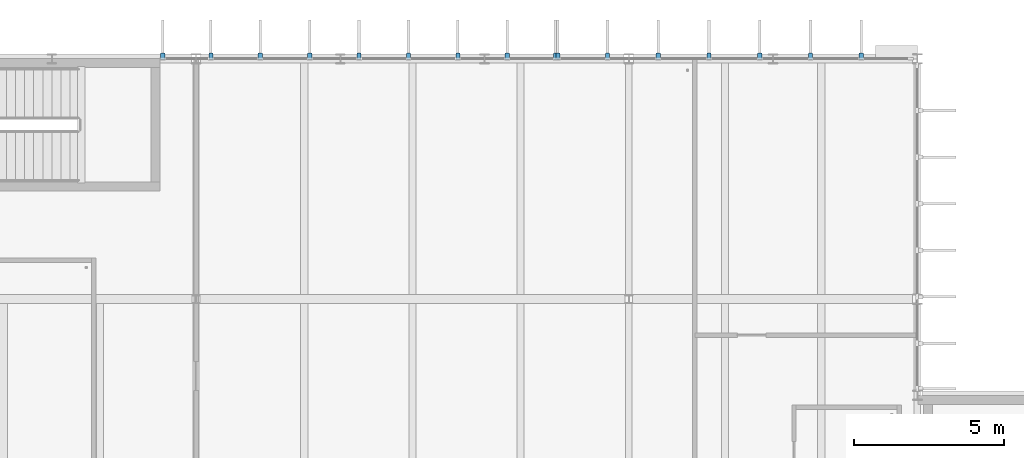
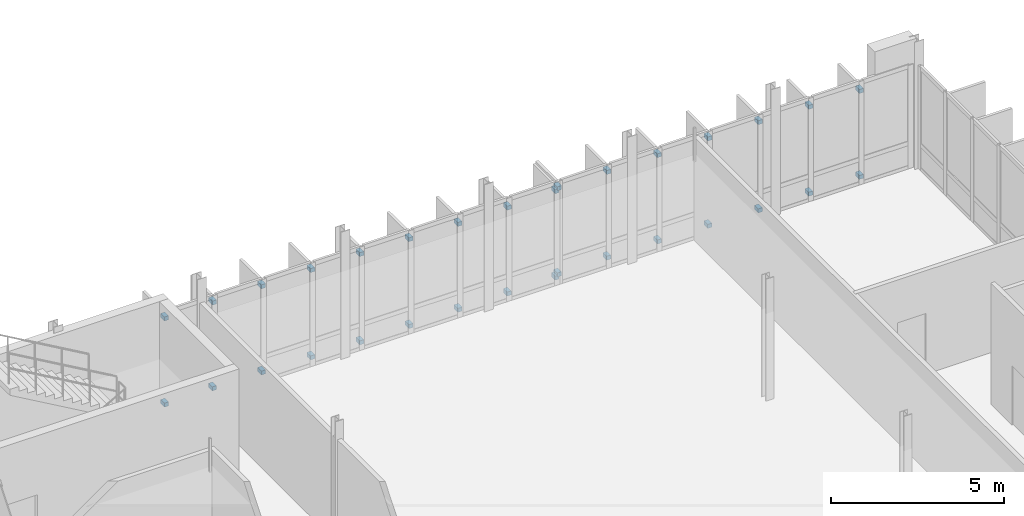
# One storey, part 36 of 41: 32 discrete accessories.
"""IFC4 building model written with IfcOpenShell, lengths in metres."""

from ifc_helpers import new_model, si_unit, direction, frame, origin, origin_2d, place, context, subcontext, project, spatial, rectangle, extrude, material, type_object, element, save


model = new_model("IFC4")

# Units and contexts
model_context = context("Model", 3, precision=1e-05, world=origin(), true_north=direction((0.0, 1.0)))
body_context = subcontext(model_context, "Body", "Model", "MODEL_VIEW")
ifc_project = project(units=[si_unit("LENGTHUNIT", "METRE"), si_unit("AREAUNIT", "SQUARE_METRE"), si_unit("VOLUMEUNIT", "CUBIC_METRE"), si_unit("PLANEANGLEUNIT", "RADIAN"), si_unit("MASSUNIT", "GRAM", prefix="KILO")], contexts=[model_context])

# Site, building, storey
site_placement = place(None, origin())
site = spatial("IfcSite", under=ifc_project, at=site_placement, CompositionType="ELEMENT")
building_placement = place(site_placement, origin())
building = spatial("IfcBuilding", under=site, at=building_placement, Name="Dunescarp Central Library", CompositionType="ELEMENT")
storey_placement = place(building_placement, frame((0.0, 0.0, 23.10009765625)))
storey = spatial("IfcBuildingStorey", under=building, at=storey_placement, Name="L05", CompositionType="ELEMENT", Elevation=23.10009765625)

# Discrete accessories
ifc_material = material(Name="Stainless steel Grade 316L", Category="steel")
discrete_accessory_type = type_object("IfcDiscreteAccessoryType", Name="ARC-ACC-BRK", PredefinedType="BRACKET", material=ifc_material)
for number, where, z_axis, x_axis, name in (
    (1, (21.639892578125, 36.8798828125, 0.27685546875), (0.0, 0.0, 1.0), (0.0, 1.0, 0.0), "Fin bracket BRK-FIN-L05-0231-B"),
    (2, (21.639892578125, 36.8798828125, 3.32275390625), (0.0, 0.0, 1.0), (0.0, 1.0, 0.0), "Fin bracket BRK-FIN-L05-0231-T"),
    (3, (23.2890625, 36.8798828125, 0.2900390625), (0.0, 0.0, 1.0), (0.0, 1.0, 0.0), "Fin bracket BRK-FIN-L05-0232-B"),
    (4, (23.2890625, 36.8798828125, 3.32275390625), (0.0, 0.0, 1.0), (0.0, 1.0, 0.0), "Fin bracket BRK-FIN-L05-0232-T"),
    (5, (24.97900390625, 36.8798828125, 0.27392578125), (0.0, 0.0, 1.0), (0.0, 1.0, 0.0), "Fin bracket BRK-FIN-L05-0233-B"),
    (6, (24.97900390625, 36.8798828125, 3.32275390625), (0.0, 0.0, 1.0), (0.0, 1.0, 0.0), "Fin bracket BRK-FIN-L05-0233-T"),
    (7, (26.66796875, 36.8798828125, 0.23291015625), (0.0, 0.0, 1.0), (0.0, 1.0, 0.0), "Fin bracket BRK-FIN-L05-0234-B"),
    (8, (26.66796875, 36.8798828125, 3.32275390625), (0.0, 0.0, 1.0), (0.0, 1.0, 0.0), "Fin bracket BRK-FIN-L05-0234-T"),
    (9, (28.35693359375, 36.8798828125, 0.18994140625), (0.0, 0.0, 1.0), (0.0, 1.0, 0.0), "Fin bracket BRK-FIN-L05-0235-B"),
    (10, (28.35693359375, 36.8798828125, 3.31201171875), (0.0, 0.0, 1.0), (0.0, 1.0, 0.0), "Fin bracket BRK-FIN-L05-0235-T"),
    (11, (30.0458984375, 36.8798828125, 0.18994140625), (0.0, 0.0, 1.0), (0.0, 1.0, 0.0), "Fin bracket BRK-FIN-L05-0236-B"),
    (12, (30.0458984375, 36.8798828125, 3.26171875), (0.0, 0.0, 1.0), (0.0, 1.0, 0.0), "Fin bracket BRK-FIN-L05-0236-T"),
    (13, (31.736083984375, 36.8798828125, 0.18994140625), (0.0, 0.0, 1.0), (0.0, 1.0, 0.0), "Fin bracket BRK-FIN-L05-0237-B"),
    (14, (31.736083984375, 36.8798828125, 3.22900390625), (0.0, 0.0, 1.0), (0.0, 1.0, 0.0), "Fin bracket BRK-FIN-L05-0237-T"),
    (15, (8.489990234375, 36.8798828125, 0.27685546875), (0.0, 0.0, 1.0), (0.0, 1.0, 0.0), "Fin bracket BRK-FIN-L05-0238-B"),
    (16, (8.489990234375, 36.8798828125, 3.32275390625), (0.0, 0.0, 1.0), (0.0, 1.0, 0.0), "Fin bracket BRK-FIN-L05-0238-T"),
    (17, (10.093994140625, 36.8798828125, 0.2900390625), (0.0, 0.0, 1.0), (0.0, 1.0, 0.0), "Fin bracket BRK-FIN-L05-0239-B"),
    (18, (10.093994140625, 36.8798828125, 3.32275390625), (0.0, 0.0, 1.0), (0.0, 1.0, 0.0), "Fin bracket BRK-FIN-L05-0239-T"),
    (19, (11.738037109375, 36.8798828125, 0.27392578125), (0.0, 0.0, 1.0), (0.0, 1.0, 0.0), "Fin bracket BRK-FIN-L05-0240-B"),
    (20, (11.738037109375, 36.8798828125, 3.32275390625), (0.0, 0.0, 1.0), (0.0, 1.0, 0.0), "Fin bracket BRK-FIN-L05-0240-T"),
    (21, (13.381103515625, 36.8798828125, 0.23291015625), (0.0, 0.0, 1.0), (0.0, 1.0, 0.0), "Fin bracket BRK-FIN-L05-0241-B"),
    (22, (13.381103515625, 36.8798828125, 3.32275390625), (0.0, 0.0, 1.0), (0.0, 1.0, 0.0), "Fin bracket BRK-FIN-L05-0241-T"),
    (23, (15.02490234375, 36.8798828125, 0.18994140625), (0.0, 0.0, 1.0), (0.0, 1.0, 0.0), "Fin bracket BRK-FIN-L05-0242-B"),
    (24, (15.02490234375, 36.8798828125, 3.31201171875), (0.0, 0.0, 1.0), (0.0, 1.0, 0.0), "Fin bracket BRK-FIN-L05-0242-T"),
    (25, (16.6689453125, 36.8798828125, 0.18994140625), (0.0, 0.0, 1.0), (0.0, 1.0, 0.0), "Fin bracket BRK-FIN-L05-0243-B"),
    (26, (16.6689453125, 36.8798828125, 3.26171875), (0.0, 0.0, 1.0), (0.0, 1.0, 0.0), "Fin bracket BRK-FIN-L05-0243-T"),
    (27, (18.31201171875, 36.8798828125, 0.18994140625), (0.0, 0.0, 1.0), (0.0, 1.0, 0.0), "Fin bracket BRK-FIN-L05-0244-B"),
    (28, (18.31201171875, 36.8798828125, 3.22900390625), (0.0, 0.0, 1.0), (0.0, 1.0, 0.0), "Fin bracket BRK-FIN-L05-0244-T"),
    (29, (19.9560546875, 36.8798828125, 0.18994140625), (0.0, 0.0, 1.0), (0.0, 1.0, 0.0), "Fin bracket BRK-FIN-L05-0245-B"),
    (30, (19.9560546875, 36.8798828125, 3.22509765625), (0.0, 0.0, 1.0), (0.0, 1.0, 0.0), "Fin bracket BRK-FIN-L05-0245-T"),
    (31, (21.56005859375, 36.8798828125, 0.18994140625), (0.0, 0.0, 1.0), (0.0, 1.0, 0.0), "Fin bracket BRK-FIN-L05-0246-B"),
    (32, (21.56005859375, 36.8798828125, 3.2490234375), (0.0, 0.0, 1.0), (0.0, 1.0, 0.0), "Fin bracket BRK-FIN-L05-0246-T"),
):
    element("IfcDiscreteAccessory", number, at=place(storey_placement, frame(where, z_axis=z_axis, x_axis=x_axis)), inside=storey, type_object=discrete_accessory_type, Name=name, PredefinedType="BRACKET", context=body_context, shape_type="SweptSolid", body=[
        extrude(rectangle(XDim=0.219970703125, YDim=0.139892578125, at=origin_2d()), origin(), (0.0, 0.0, 1.0), 0.139892578125),
    ])

save(model, "model.ifc")
